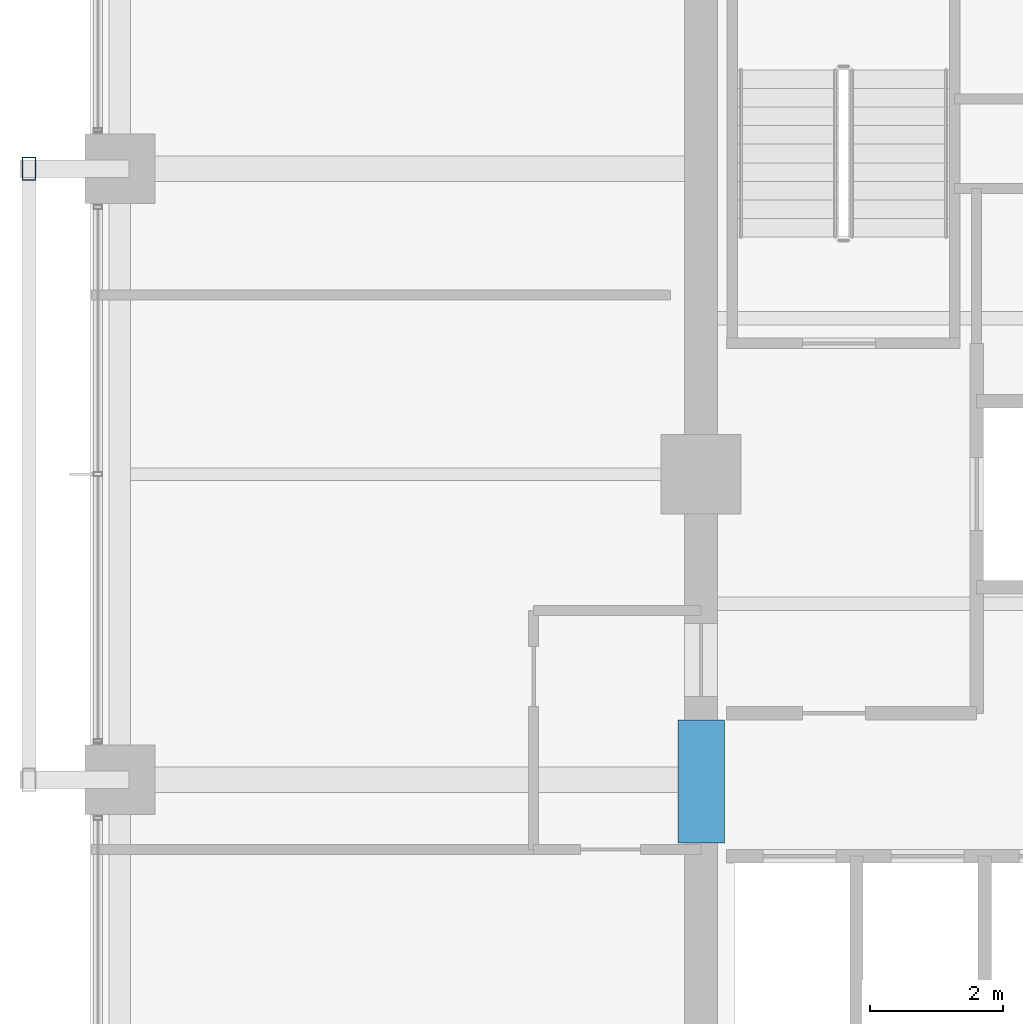
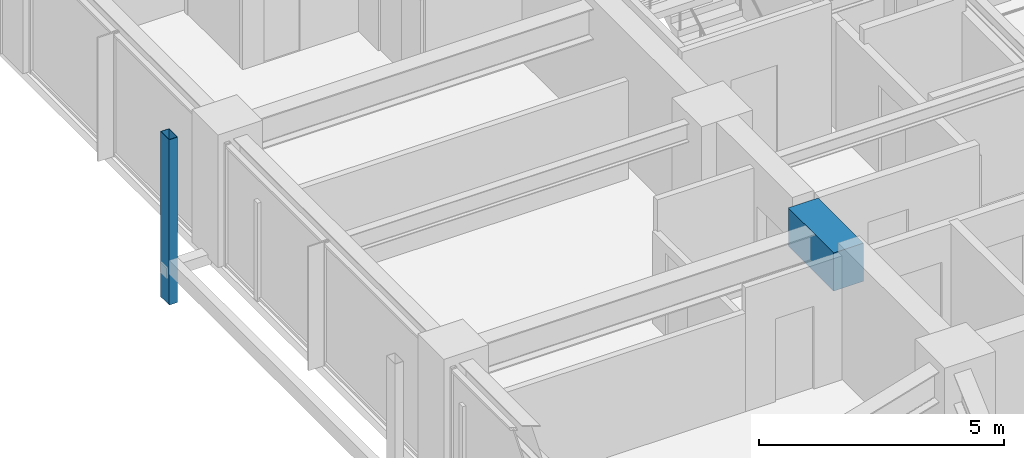
# One storey, part 10 of 34: 1 beam, 1 member.
"""IFC4 building model written with IfcOpenShell, lengths in metres."""

from ifc_helpers import new_model, si_unit, direction, frame, origin, origin_2d, place, context, subcontext, project, spatial, rectangle, hollow_rectangle, extrude, material, material_profile, profile_set, type_object, element, save


model = new_model("IFC4")

# Units and contexts
model_context = context("Model", 3, precision=1e-05, world=origin(), true_north=direction((0.0, 1.0)))
body_context = subcontext(model_context, "Body", "Model", "MODEL_VIEW")
ifc_project = project(units=[si_unit("LENGTHUNIT", "METRE"), si_unit("AREAUNIT", "SQUARE_METRE"), si_unit("VOLUMEUNIT", "CUBIC_METRE"), si_unit("PLANEANGLEUNIT", "RADIAN"), si_unit("MASSUNIT", "GRAM", prefix="KILO")], contexts=[model_context])

# Site, building, storey
site_placement = place(None, origin())
site = spatial("IfcSite", under=ifc_project, at=site_placement, CompositionType="ELEMENT")
building_placement = place(site_placement, origin())
building = spatial("IfcBuilding", under=site, at=building_placement, Name="Kolvaren Belvedere", CompositionType="ELEMENT")
storey_placement = place(building_placement, frame((0.0, 0.0, 111.800048828125)))
storey = spatial("IfcBuildingStorey", under=building, at=storey_placement, Name="L32", CompositionType="ELEMENT", Elevation=111.800048828125)

# Beam
ifc_material_1 = material(Name="Concrete C60/75", Category="concrete")
ifc_material_profile_1 = material_profile(ifc_material_1, rectangle(XDim=0.699951171875, YDim=0.949951171875, at=origin_2d()), Name="RC 700X950")
ifc_profile_set_1 = profile_set([ifc_material_profile_1], Name="Concrete C60/75")
beam_type = type_object("IfcBeamType", Name="BM-LINT-950", PredefinedType="LINTEL", material=ifc_profile_set_1)
beam_placement = place(storey_placement, frame((-9.89990234375, -5.550048828125, 2.60498046875), z_axis=(0.0, 1.0, 0.0), x_axis=(-1.0, 0.0, 0.0)))
element("IfcBeam", 1, at=beam_placement, inside=storey, type_object=beam_type, Name="L32 West Core Coupling Lintel", PredefinedType="LINTEL", context=body_context, shape_type="SweptSolid", body=[
    extrude(rectangle(XDim=0.699951171875, YDim=0.949951171875, at=origin_2d()), origin(), (0.0, 0.0, 1.0), 1.85009765625),
])

# Member
ifc_material_2 = material(Name="Anodised pale-metal aluminium AA 6063-T6", Category="aluminium")
ifc_material_profile_2 = material_profile(ifc_material_2, hollow_rectangle(XDim=0.199951171875, YDim=0.35009765625, WallThickness=0.007568359375, at=origin_2d()), Name="ALU-PF-350X200")
ifc_profile_set_2 = profile_set([ifc_material_profile_2], Name="Anodised pale-metal aluminium AA 6063-T6")
member_type = type_object("IfcMemberType", Name="PF-FRAME-350", PredefinedType="USERDEFINED", material=ifc_profile_set_2)
member_placement = place(storey_placement, frame((-20.02001953125, 4.60009765625, -0.81005859375), z_axis=(0.0, 0.0, 1.0), x_axis=(1.0, 0.0, 0.0)))
element("IfcMember", 2, at=member_placement, inside=storey, type_object=member_type, Name="L32 Outboard Picture-Frame Vertical W2", ObjectType="PICTURE FRAME FIN", PredefinedType="USERDEFINED", context=body_context, shape_type="SweptSolid", body=[
    extrude(hollow_rectangle(XDim=0.199951171875, YDim=0.35009765625, WallThickness=0.007568359375, at=origin_2d()), origin(), (0.0, 0.0, 1.0), 4.110107421875),
])

save(model, "model.ifc")
